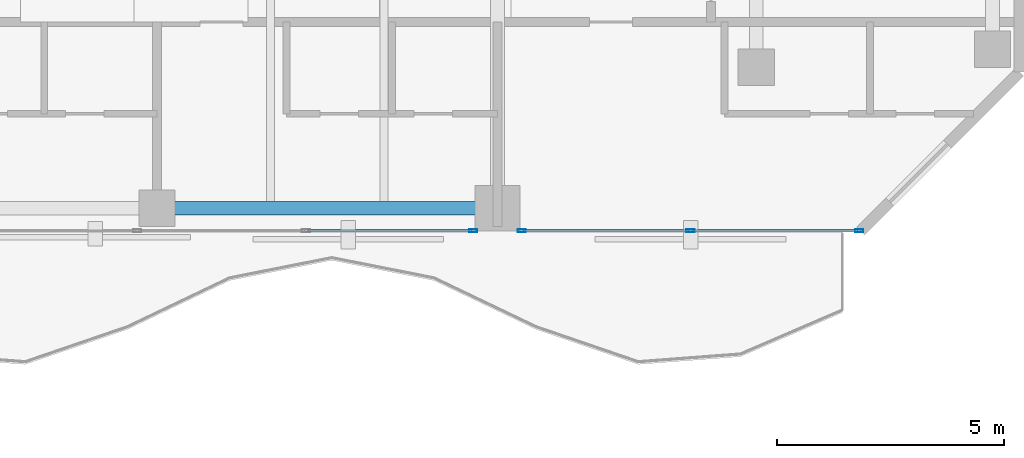
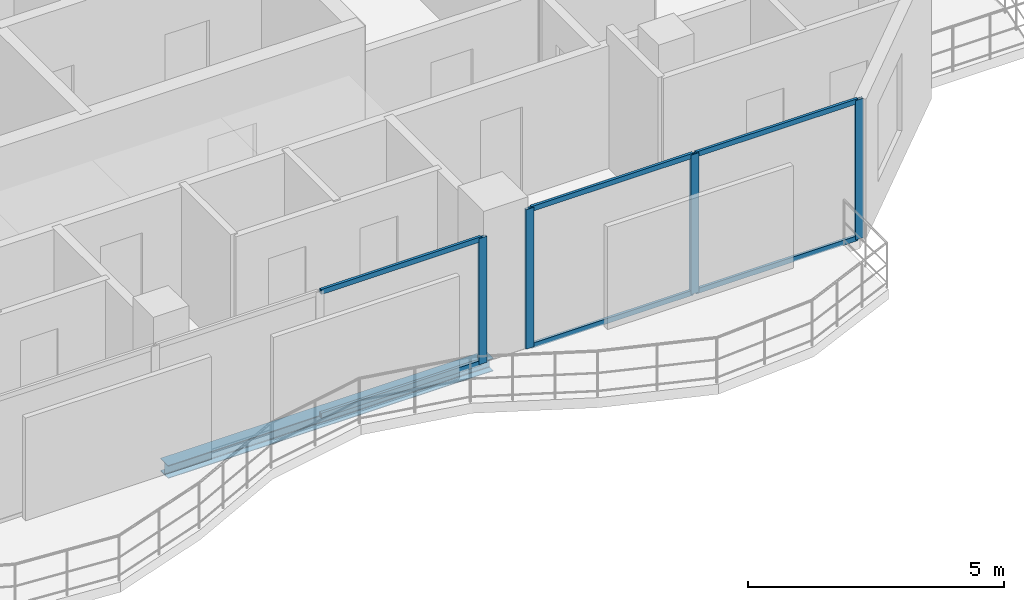
# One storey, part 12 of 24: 10 members, 1 beam, 2 elements without a shape of their own.
"""IFC4 building model written with IfcOpenShell, lengths in metres."""

from ifc_helpers import new_model, si_unit, direction, frame, origin, origin_2d, place, context, subcontext, project, spatial, hollow_rectangle, i_section, extrude, material, layer, layer_set, material_profile, profile_set, type_object, element, aggregate, save


model = new_model("IFC4")

# Units and contexts
model_context = context("Model", 3, precision=1e-05, world=origin(), true_north=direction((0.0, 1.0)))
body_context = subcontext(model_context, "Body", "Model", "MODEL_VIEW")
ifc_project = project(units=[si_unit("LENGTHUNIT", "METRE"), si_unit("AREAUNIT", "SQUARE_METRE"), si_unit("VOLUMEUNIT", "CUBIC_METRE"), si_unit("PLANEANGLEUNIT", "RADIAN"), si_unit("MASSUNIT", "GRAM", prefix="KILO")], contexts=[model_context])

# Site, building, storey
site_placement = place(None, origin())
site = spatial("IfcSite", under=ifc_project, at=site_placement, CompositionType="ELEMENT")
building_placement = place(site_placement, origin())
building = spatial("IfcBuilding", under=site, at=building_placement, Name="Catumbela Crestline Tower", CompositionType="ELEMENT")
storey_placement = place(building_placement, frame((0.0, 0.0, 154.2)))
storey = spatial("IfcBuildingStorey", under=building, at=storey_placement, Name="L39", CompositionType="ELEMENT", Elevation=154.2)

# Curtain wall, member
ifc_material_1 = material(Name="Aluminium alloy AW-6060-T66", Category="aluminium")
ifc_layer = layer(ifc_material_1, 0.18, Name="Aluminium alloy AW-6060-T66")
ifc_layer_set = layer_set([ifc_layer], Name="Aluminium alloy AW-6060-T66")
curtain_wall_type = type_object("IfcCurtainWallType", Name="CWU-Z3", PredefinedType="USERDEFINED", material=ifc_layer_set)
curtain_wall_1_placement = place(storey_placement, origin())
curtain_wall_1 = element("IfcCurtainWall", 1, at=curtain_wall_1_placement, inside=storey, type_object=curtain_wall_type, Name="L39 Unitised Curtain Wall CW-L39-E3S2", ObjectType="UNITISED", PredefinedType="USERDEFINED")
ifc_material_profile_1 = material_profile(ifc_material_1, hollow_rectangle(XDim=0.065, YDim=0.18, WallThickness=0.004, at=origin_2d()), Name="ALU 180x65x4")
ifc_profile_set_1 = profile_set([ifc_material_profile_1], Name="Aluminium alloy AW-6060-T66")
member_type_1 = type_object("IfcMemberType", Name="MUL-180X65", PredefinedType="MULLION", material=ifc_profile_set_1)
member_1_placement = place(storey_placement, frame((38.9675, 24.0, 0.0), z_axis=(0.0, 0.0, 1.0), x_axis=(0.0, 1.0, 0.0)))
member_1 = element("IfcMember", 2, at=member_1_placement, type_object=member_type_1, Name="CWU-Z3 mullion 4", PredefinedType="MULLION", context=body_context, shape_type="SweptSolid", body=[
    extrude(hollow_rectangle(XDim=0.065, YDim=0.18, WallThickness=0.004, at=origin_2d()), origin(), (0.0, 0.0, 1.0), 3.01),
])

# Curtain wall, members
curtain_wall_2_placement = place(storey_placement, origin())
curtain_wall_2 = element("IfcCurtainWall", 3, at=curtain_wall_2_placement, inside=storey, type_object=curtain_wall_type, Name="L39 Unitised Curtain Wall CW-L39-E3S3", ObjectType="UNITISED", PredefinedType="USERDEFINED")
member_2_placement = place(storey_placement, frame((40.0325, 24.0, 0.0), z_axis=(0.0, 0.0, 1.0), x_axis=(0.0, 1.0, 0.0)))
member_2 = element("IfcMember", 4, at=member_2_placement, type_object=member_type_1, Name="CWU-Z3 mullion 1", PredefinedType="MULLION", context=body_context, shape_type="SweptSolid", body=[
    extrude(hollow_rectangle(XDim=0.065, YDim=0.18, WallThickness=0.004, at=origin_2d()), origin(), (0.0, 0.0, 1.0), 3.33),
])
member_3_placement = place(storey_placement, frame((43.75, 24.0, 0.0), z_axis=(0.0, 0.0, 1.0), x_axis=(0.0, 1.0, 0.0)))
member_3 = element("IfcMember", 5, at=member_3_placement, type_object=member_type_1, Name="CWU-Z3 mullion 2", PredefinedType="MULLION", context=body_context, shape_type="SweptSolid", body=[
    extrude(hollow_rectangle(XDim=0.065, YDim=0.18, WallThickness=0.004, at=origin_2d()), origin(), (0.0, 0.0, 1.0), 3.33),
])
member_4_placement = place(storey_placement, frame((47.4675, 24.0, 0.0), z_axis=(0.0, 0.0, 1.0), x_axis=(0.0, 1.0, 0.0)))
member_4 = element("IfcMember", 6, at=member_4_placement, type_object=member_type_1, Name="CWU-Z3 mullion 3", PredefinedType="MULLION", context=body_context, shape_type="SweptSolid", body=[
    extrude(hollow_rectangle(XDim=0.065, YDim=0.18, WallThickness=0.004, at=origin_2d()), origin(), (0.0, 0.0, 1.0), 3.33),
])

# Beam
ifc_material_2 = material(Name="Structural steel S355J2", Category="steel")
ifc_material_profile_2 = material_profile(ifc_material_2, i_section(OverallWidth=0.3, OverallDepth=0.31, WebThickness=0.009, FlangeThickness=0.0155, FilletRadius=0.027, at=origin_2d()), Name="HEA 320")
ifc_profile_set_2 = profile_set([ifc_material_profile_2], Name="Structural steel S355J2")
beam_type = type_object("IfcBeamType", Name="BS-HEA320", PredefinedType="SPANDREL", material=ifc_profile_set_2)
beam_placement = place(storey_placement, frame((32.08, 24.5, -0.415), z_axis=(1.0, 0.0, 0.0), x_axis=(0.0, 1.0, 0.0)))
element("IfcBeam", 7, at=beam_placement, inside=storey, type_object=beam_type, Name="L39 Spandrel SP-L39-S05", PredefinedType="SPANDREL", context=body_context, shape_type="SweptSolid", body=[
    extrude(i_section(OverallWidth=0.3, OverallDepth=0.31, WebThickness=0.009, FlangeThickness=0.0155, FilletRadius=0.027, at=origin_2d()), origin(), (0.0, 0.0, 1.0), 7.34),
])

# Member
ifc_material_profile_3 = material_profile(ifc_material_1, hollow_rectangle(XDim=0.06, YDim=0.12, WallThickness=0.0035, at=origin_2d()), Name="ALU 120x60x3.5")
ifc_profile_set_3 = profile_set([ifc_material_profile_3], Name="Aluminium alloy AW-6060-T66")
member_type_2 = type_object("IfcMemberType", Name="TRN-120X60", PredefinedType="USERDEFINED", material=ifc_profile_set_3)
member_5_placement = place(storey_placement, frame((35.3158, 24.0, 0.03), z_axis=(1.0, 0.0, 0.0), x_axis=(0.0, 1.0, 0.0)))
member_5 = element("IfcMember", 8, at=member_5_placement, type_object=member_type_2, Name="CWU-Z3 transom 3.1", ObjectType="TRANSOM", PredefinedType="USERDEFINED", context=body_context, shape_type="SweptSolid", body=[
    extrude(hollow_rectangle(XDim=0.06, YDim=0.12, WallThickness=0.0035, at=origin_2d()), origin(), (0.0, 0.0, 1.0), 3.6192),
])

member_6_placement = place(storey_placement, frame((35.3158, 24.0, 2.98), z_axis=(1.0, 0.0, 0.0), x_axis=(0.0, 1.0, 0.0)))
member_6 = element("IfcMember", 9, at=member_6_placement, type_object=member_type_2, Name="CWU-Z3 transom 3.2", ObjectType="TRANSOM", PredefinedType="USERDEFINED", context=body_context, shape_type="SweptSolid", body=[
    extrude(hollow_rectangle(XDim=0.06, YDim=0.12, WallThickness=0.0035, at=origin_2d()), origin(), (0.0, 0.0, 1.0), 3.6192),
])

aggregate(curtain_wall_1, [member_1, member_5, member_6])

member_7_placement = place(storey_placement, frame((40.065, 24.0, 0.03), z_axis=(1.0, 0.0, 0.0), x_axis=(0.0, 1.0, 0.0)))
member_7 = element("IfcMember", 10, at=member_7_placement, type_object=member_type_2, Name="CWU-Z3 transom 1.1", ObjectType="TRANSOM", PredefinedType="USERDEFINED", context=body_context, shape_type="SweptSolid", body=[
    extrude(hollow_rectangle(XDim=0.06, YDim=0.12, WallThickness=0.0035, at=origin_2d()), origin(), (0.0, 0.0, 1.0), 3.6525),
])

member_8_placement = place(storey_placement, frame((40.065, 24.0, 3.3), z_axis=(1.0, 0.0, 0.0), x_axis=(0.0, 1.0, 0.0)))
member_8 = element("IfcMember", 11, at=member_8_placement, type_object=member_type_2, Name="CWU-Z3 transom 1.2", ObjectType="TRANSOM", PredefinedType="USERDEFINED", context=body_context, shape_type="SweptSolid", body=[
    extrude(hollow_rectangle(XDim=0.06, YDim=0.12, WallThickness=0.0035, at=origin_2d()), origin(), (0.0, 0.0, 1.0), 3.6525),
])

member_9_placement = place(storey_placement, frame((43.7825, 24.0, 0.03), z_axis=(1.0, 0.0, 0.0), x_axis=(0.0, 1.0, 0.0)))
member_9 = element("IfcMember", 12, at=member_9_placement, type_object=member_type_2, Name="CWU-Z3 transom 2.1", ObjectType="TRANSOM", PredefinedType="USERDEFINED", context=body_context, shape_type="SweptSolid", body=[
    extrude(hollow_rectangle(XDim=0.06, YDim=0.12, WallThickness=0.0035, at=origin_2d()), origin(), (0.0, 0.0, 1.0), 3.6525),
])

member_10_placement = place(storey_placement, frame((43.7825, 24.0, 3.3), z_axis=(1.0, 0.0, 0.0), x_axis=(0.0, 1.0, 0.0)))
member_10 = element("IfcMember", 13, at=member_10_placement, type_object=member_type_2, Name="CWU-Z3 transom 2.2", ObjectType="TRANSOM", PredefinedType="USERDEFINED", context=body_context, shape_type="SweptSolid", body=[
    extrude(hollow_rectangle(XDim=0.06, YDim=0.12, WallThickness=0.0035, at=origin_2d()), origin(), (0.0, 0.0, 1.0), 3.6525),
])

aggregate(curtain_wall_2, [member_2, member_3, member_4, member_7, member_8, member_9, member_10])

save(model, "model.ifc")
